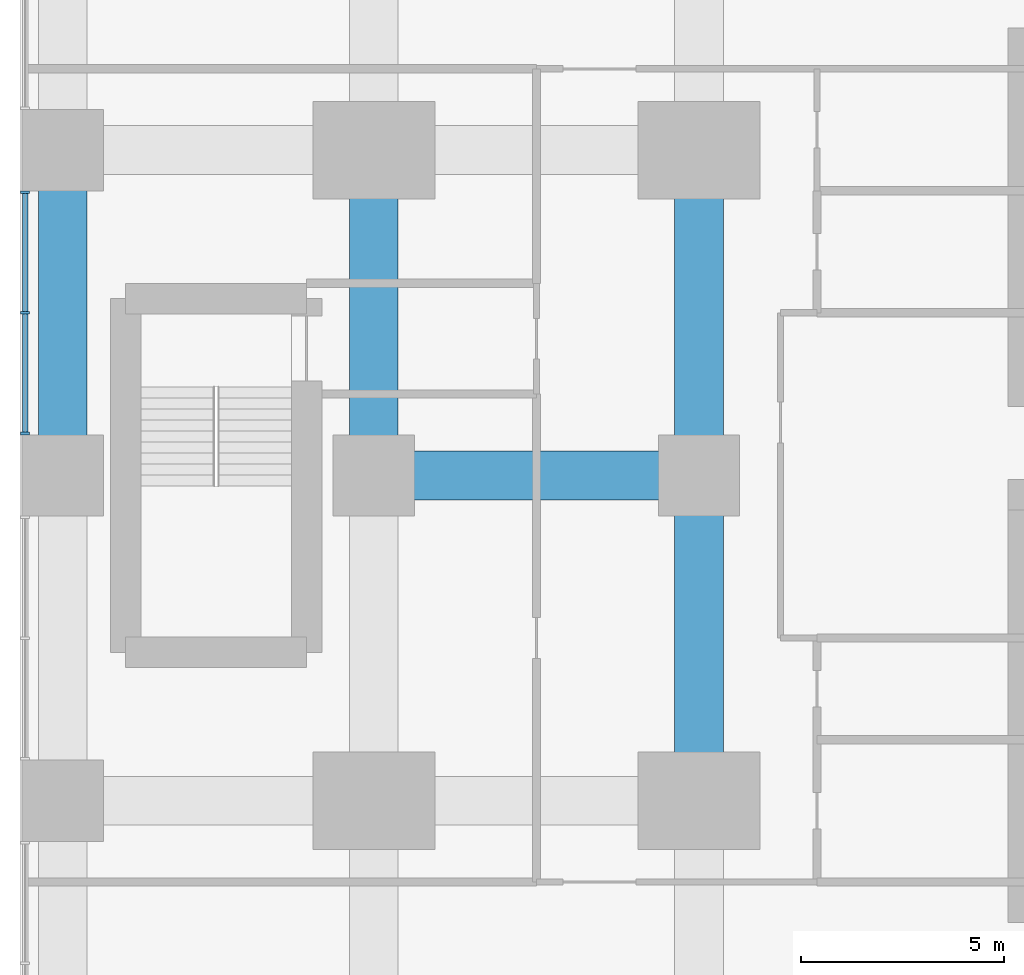
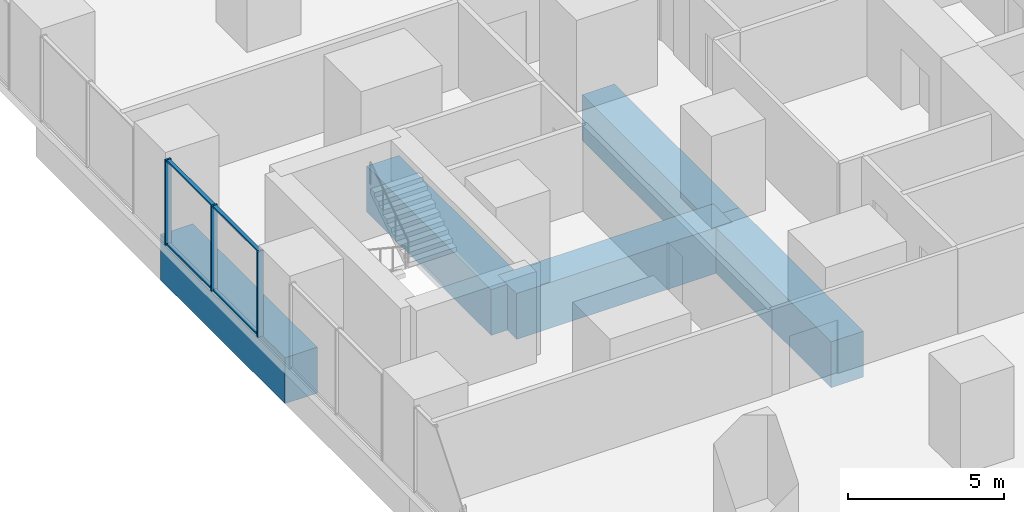
# One storey, part 3 of 15: 7 members, 5 beams, 1 element without a shape of its own.
"""IFC4 building model written with IfcOpenShell, lengths in metres."""

from ifc_helpers import new_model, si_unit, direction, frame, origin, origin_2d, place, context, subcontext, project, spatial, rectangle, extrude, material, layer, layer_set, material_profile, profile_set, type_object, element, aggregate, save


model = new_model("IFC4")

# Units and contexts
model_context = context("Model", 3, precision=1e-05, world=origin(), true_north=direction((0.0, 1.0)))
body_context = subcontext(model_context, "Body", "Model", "MODEL_VIEW")
ifc_project = project(units=[si_unit("LENGTHUNIT", "METRE"), si_unit("AREAUNIT", "SQUARE_METRE"), si_unit("VOLUMEUNIT", "CUBIC_METRE"), si_unit("PLANEANGLEUNIT", "RADIAN"), si_unit("MASSUNIT", "GRAM", prefix="KILO")], contexts=[model_context])

# Site, building, storey
site_placement = place(None, origin())
site = spatial("IfcSite", under=ifc_project, at=site_placement, CompositionType="ELEMENT")
building_placement = place(site_placement, origin())
building = spatial("IfcBuilding", under=site, at=building_placement, Name="Cleftline Residences", CompositionType="ELEMENT")
storey_placement = place(building_placement, frame((0.0, 0.0, 26.0)))
storey = spatial("IfcBuildingStorey", under=building, at=storey_placement, Name="L05", CompositionType="ELEMENT", Elevation=26.0)

# Beams
ifc_material_1 = material(Name="Concrete B45", Category="concrete")
ifc_material_profile_1 = material_profile(ifc_material_1, rectangle(XDim=1.199951171875, YDim=1.800048828125, at=origin_2d()))
ifc_profile_set_1 = profile_set([ifc_material_profile_1], Name="Concrete B45")
beam_type = type_object("IfcBeamType", Name="BEAM RC1200X1800", PredefinedType="BEAM", material=ifc_profile_set_1)
for number, where, z_axis, x_axis, name in (
    (1, (8.0, 24.0, -1.25), (1.0, 0.0, 0.0), (0.0, 1.0, 0.0), "Podium beam"),
    (2, (0.35009765625, 24.0, -1.25), (0.0, 1.0, 0.0), (-1.0, 0.0, 0.0), "Podium beam"),
    (3, (8.0, 24.0, -1.25), (0.0, 1.0, 0.0), (-1.0, 0.0, 0.0), "Podium beam"),
    (4, (16.0, 16.0, -1.25), (0.0, 1.0, 0.0), (-1.0, 0.0, 0.0), "Podium beam"),
    (5, (16.0, 24.0, -1.25), (0.0, 1.0, 0.0), (-1.0, 0.0, 0.0), "Podium beam"),
):
    element("IfcBeam", number, at=place(storey_placement, frame(where, z_axis=z_axis, x_axis=x_axis)), inside=storey, type_object=beam_type, Name=name, PredefinedType="BEAM", context=body_context, shape_type="SweptSolid", body=[
        extrude(rectangle(XDim=1.199951171875, YDim=1.800048828125, at=origin_2d()), origin(), (0.0, 0.0, 1.0), 8.0),
    ])

# Curtain wall, members
ifc_material_2 = material(Name="Aluminium framed curtain wall", Category="aluminium")
ifc_layer = layer(ifc_material_2, 0.199951171875)
ifc_layer_set = layer_set([ifc_layer], Name="CW4 SKY LOUNGE GLAZING")
curtain_wall_type = type_object("IfcCurtainWallType", Name="CW4 SKY LOUNGE GLAZING", PredefinedType="NOTDEFINED", material=ifc_layer_set)
curtain_wall_placement = place(storey_placement, origin())
curtain_wall = element("IfcCurtainWall", 6, at=curtain_wall_placement, inside=storey, type_object=curtain_wall_type, Name="Curtain wall CW4", PredefinedType="NOTDEFINED")
ifc_material_3 = material(Name="Aluminium mullion", Category="aluminium")
ifc_material_profile_2 = material_profile(ifc_material_3, rectangle(XDim=0.219970703125, YDim=0.06494140625, at=origin_2d()))
ifc_profile_set_2 = profile_set([ifc_material_profile_2], Name="Aluminium mullion")
member_type_1 = type_object("IfcMemberType", Name="CW4 MULLION", PredefinedType="MULLION", material=ifc_profile_set_2)
member_1_placement = place(storey_placement, frame((-0.574951171875, 30.967529296875, 0.0), z_axis=(0.0, 0.0, 1.0), x_axis=(1.0, 0.0, 0.0)))
member_1 = element("IfcMember", 7, at=member_1_placement, type_object=member_type_1, Name="CW4 mullion 1", PredefinedType="MULLION", context=body_context, shape_type="SweptSolid", body=[
    extrude(rectangle(XDim=0.219970703125, YDim=0.06494140625, at=origin_2d()), origin(), (0.0, 0.0, 1.0), 3.35009765625),
])
member_2_placement = place(storey_placement, frame((-0.574951171875, 28.0, 0.0), z_axis=(0.0, 0.0, 1.0), x_axis=(1.0, 0.0, 0.0)))
member_2 = element("IfcMember", 8, at=member_2_placement, type_object=member_type_1, Name="CW4 mullion 2", PredefinedType="MULLION", context=body_context, shape_type="SweptSolid", body=[
    extrude(rectangle(XDim=0.219970703125, YDim=0.06494140625, at=origin_2d()), origin(), (0.0, 0.0, 1.0), 3.35009765625),
])
member_3_placement = place(storey_placement, frame((-0.574951171875, 25.032470703125, 0.0), z_axis=(0.0, 0.0, 1.0), x_axis=(1.0, 0.0, 0.0)))
member_3 = element("IfcMember", 9, at=member_3_placement, type_object=member_type_1, Name="CW4 mullion 3", PredefinedType="MULLION", context=body_context, shape_type="SweptSolid", body=[
    extrude(rectangle(XDim=0.219970703125, YDim=0.06494140625, at=origin_2d()), origin(), (0.0, 0.0, 1.0), 3.35009765625),
])
ifc_material_4 = material(Name="Aluminium transom", Category="aluminium")
ifc_material_profile_3 = material_profile(ifc_material_4, rectangle(XDim=0.132080078125, YDim=0.06494140625, at=origin_2d()))
ifc_profile_set_3 = profile_set([ifc_material_profile_3], Name="Aluminium transom")
member_type_2 = type_object("IfcMemberType", Name="CW4 TRANSOM", PredefinedType="USERDEFINED", material=ifc_profile_set_3)
member_4_placement = place(storey_placement, frame((-0.574951171875, 30.93505859375, 0.032470703125), z_axis=(0.0, -1.0, 0.0), x_axis=(1.0, 0.0, 0.0)))
member_4 = element("IfcMember", 10, at=member_4_placement, type_object=member_type_2, Name="CW4 transom 1.1", ObjectType="TRANSOM", PredefinedType="USERDEFINED", context=body_context, shape_type="SweptSolid", body=[
    extrude(rectangle(XDim=0.132080078125, YDim=0.06494140625, at=origin_2d()), origin(), (0.0, 0.0, 1.0), 2.902587890625),
])
member_5_placement = place(storey_placement, frame((-0.574951171875, 30.93505859375, 3.3173828125), z_axis=(0.0, -1.0, 0.0), x_axis=(1.0, 0.0, 0.0)))
member_5 = element("IfcMember", 11, at=member_5_placement, type_object=member_type_2, Name="CW4 transom 1.2", ObjectType="TRANSOM", PredefinedType="USERDEFINED", context=body_context, shape_type="SweptSolid", body=[
    extrude(rectangle(XDim=0.132080078125, YDim=0.06494140625, at=origin_2d()), origin(), (0.0, 0.0, 1.0), 2.902587890625),
])
member_6_placement = place(storey_placement, frame((-0.574951171875, 27.967529296875, 0.032470703125), z_axis=(0.0, -1.0, 0.0), x_axis=(1.0, 0.0, 0.0)))
member_6 = element("IfcMember", 12, at=member_6_placement, type_object=member_type_2, Name="CW4 transom 2.1", ObjectType="TRANSOM", PredefinedType="USERDEFINED", context=body_context, shape_type="SweptSolid", body=[
    extrude(rectangle(XDim=0.132080078125, YDim=0.06494140625, at=origin_2d()), origin(), (0.0, 0.0, 1.0), 2.902587890625),
])
member_7_placement = place(storey_placement, frame((-0.574951171875, 27.967529296875, 3.3173828125), z_axis=(0.0, -1.0, 0.0), x_axis=(1.0, 0.0, 0.0)))
member_7 = element("IfcMember", 13, at=member_7_placement, type_object=member_type_2, Name="CW4 transom 2.2", ObjectType="TRANSOM", PredefinedType="USERDEFINED", context=body_context, shape_type="SweptSolid", body=[
    extrude(rectangle(XDim=0.132080078125, YDim=0.06494140625, at=origin_2d()), origin(), (0.0, 0.0, 1.0), 2.902587890625),
])
aggregate(curtain_wall, [member_1, member_2, member_3, member_4, member_5, member_6, member_7])

save(model, "model.ifc")
